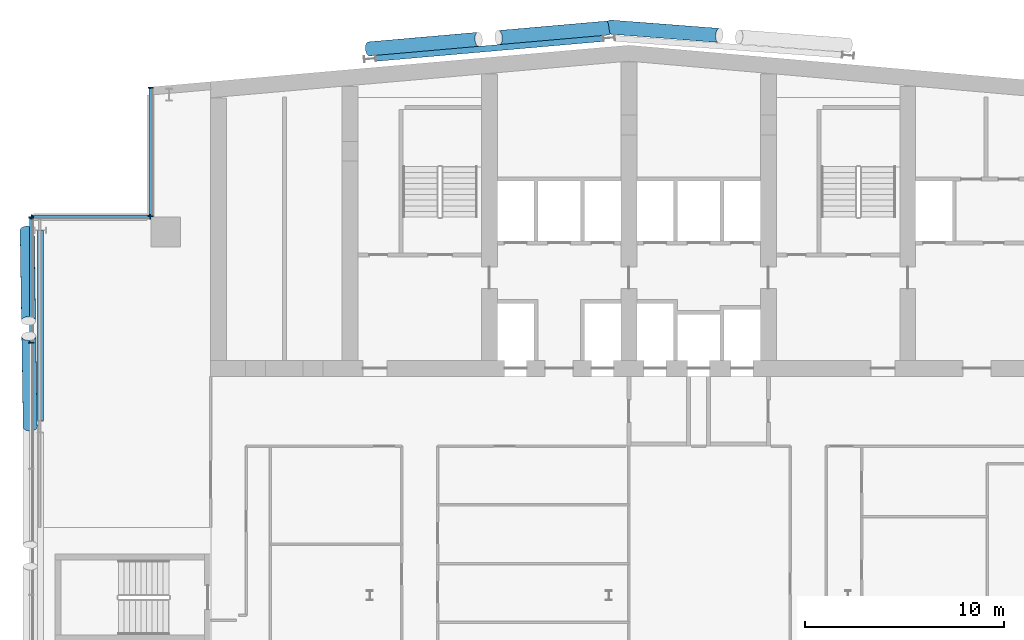
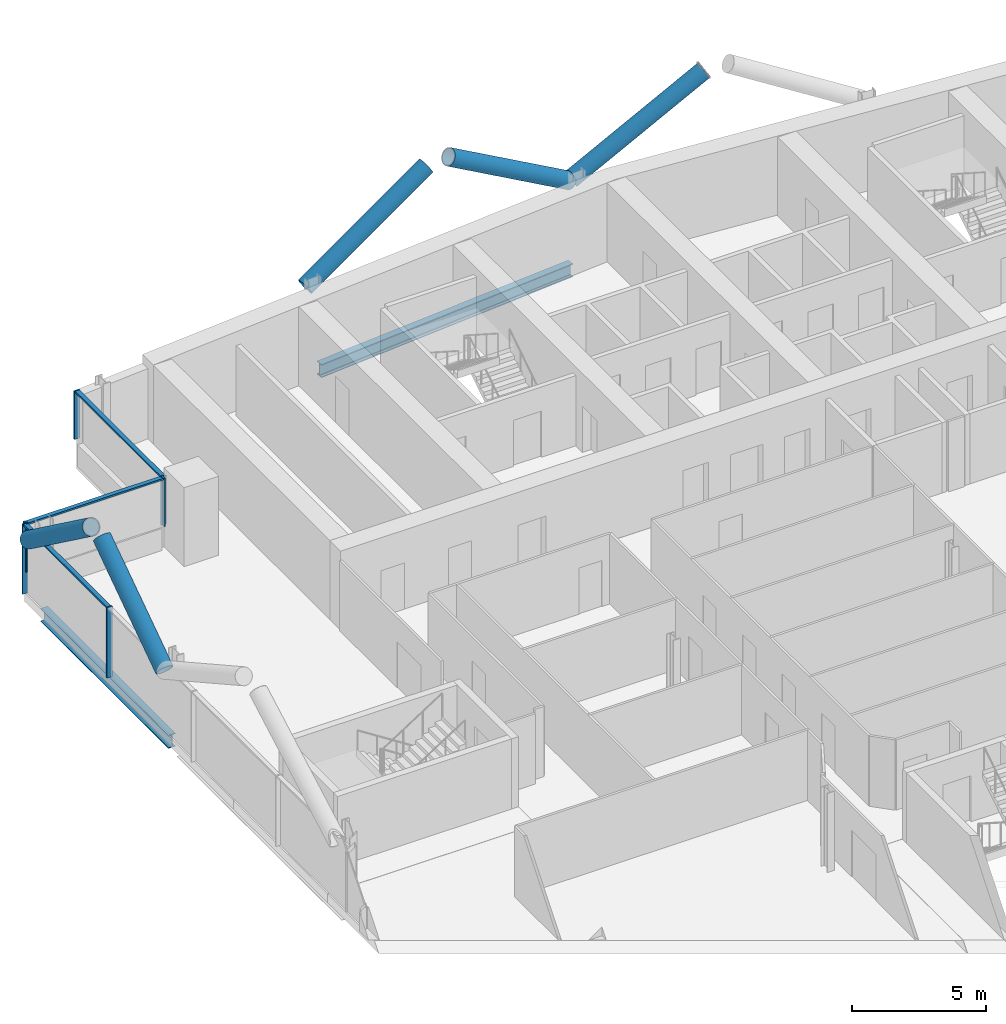
# One storey, part 9 of 26: 14 members, 2 beams, 3 elements without a shape of their own.
"""IFC4 building model written with IfcOpenShell, lengths in metres."""

import ifcopenshell
import ifcopenshell.guid

model = None  # the IFC model being written
_history = None  # IfcOwnerHistory: only IFC2X3 demands one
_inside = {}  # id of a spatial element -> (the spatial element, [elements in it])
_under = {}  # id of a project, library or spatial element -> (it, [spatial elements below it])
_declared = {}  # id of a project -> (the project, [libraries it declares])
_typed = {}  # id of a type object -> (the type object, [elements of that type])
_made_of = {}  # id of a material, layer set ... -> (it, [elements and type objects made of it])


def new_model(schema):
    """Start an empty IFC model of exactly this schema.

    Asked for "IFC4X3", IfcOpenShell would pick the latest addendum, in which some entities
    have other attributes; the version numbers below select the first issue.
    IFC2X3 requires an IfcOwnerHistory on every rooted entity: one is made here for all.
    """
    global model, _history
    if schema == "IFC4X3":
        model = ifcopenshell.file(schema_version=(4, 3, 0, 0))
    else:
        model = ifcopenshell.file(schema=schema)
    _inside.clear()
    _under.clear()
    _declared.clear()
    _typed.clear()
    _made_of.clear()
    _history = None
    if model.schema == "IFC2X3":
        org = make("IfcOrganization", Name="unknown")
        user = make(
            "IfcPersonAndOrganization",
            ThePerson=make("IfcPerson", FamilyName="unknown"),
            TheOrganization=org,
        )
        app = make(
            "IfcApplication",
            ApplicationDeveloper=org,
            Version="unknown",
            ApplicationFullName="unknown",
            ApplicationIdentifier="unknown",
        )
        _history = make(
            "IfcOwnerHistory",
            OwningUser=user,
            OwningApplication=app,
            ChangeAction="ADDED",
            CreationDate=0,
        )
    return model


def make(cls, **values):
    """One entity of the class cls with the attributes given. An attribute that is None is left unset."""
    return model.create_entity(
        cls, **{name: value for name, value in values.items() if value is not None}
    )


def rooted(cls, **values):
    """An entity with a GlobalId (a new one), such as an element, a storey or a relation."""
    return make(cls, GlobalId=ifcopenshell.guid.new(), OwnerHistory=_history, **values)


def si_unit(unit_type, name, prefix=None):
    """IfcSIUnit, for example si_unit("LENGTHUNIT", "METRE", prefix="MILLI")."""
    return make("IfcSIUnit", UnitType=unit_type, Prefix=prefix, Name=name)


def assignment(units):
    """IfcUnitAssignment: the units of a project."""
    return None if units is None else make("IfcUnitAssignment", Units=units)


def point(xyz):
    """IfcCartesianPoint."""
    return None if xyz is None else make("IfcCartesianPoint", Coordinates=xyz)


def direction(xyz):
    """IfcDirection."""
    return None if xyz is None else make("IfcDirection", DirectionRatios=xyz)


def frame(location, z_axis=None, x_axis=None):
    """IfcAxis2Placement3D, a coordinate frame: its origin and axes. An axis left out is left unset."""
    return make(
        "IfcAxis2Placement3D",
        Location=point(location),
        Axis=direction(z_axis),
        RefDirection=direction(x_axis),
    )


def frame_2d(location, x_axis=None):
    """IfcAxis2Placement2D, a coordinate frame in the plane: its origin and x axis."""
    return make(
        "IfcAxis2Placement2D", Location=point(location), RefDirection=direction(x_axis)
    )


def origin():
    """The frame at (0, 0, 0) with its axes left unset."""
    return frame((0.0, 0.0, 0.0))


def origin_2d():
    """The frame at (0, 0) in the plane with its x axis left unset."""
    return frame_2d((0.0, 0.0))


def place(relative_to, where):
    """IfcLocalPlacement: puts the frame where relative to a parent placement (None: the world)."""
    return make(
        "IfcLocalPlacement", PlacementRelTo=relative_to, RelativePlacement=where
    )


def context(
    kind, dimensions, precision=None, world=None, true_north=None, identifier=None
):
    """IfcGeometricRepresentationContext, for example the 3D "Model" context."""
    return make(
        "IfcGeometricRepresentationContext",
        ContextIdentifier=identifier,
        ContextType=kind,
        CoordinateSpaceDimension=dimensions,
        Precision=precision,
        WorldCoordinateSystem=world,
        TrueNorth=true_north,
    )


def subcontext(parent, identifier, kind, view, scale=None):
    """IfcGeometricRepresentationSubContext, for example "Body" below "Model"."""
    return make(
        "IfcGeometricRepresentationSubContext",
        ContextIdentifier=identifier,
        ContextType=kind,
        ParentContext=parent,
        TargetScale=scale,
        TargetView=view,
    )


def project(units=None, contexts=None):
    """IfcProject with its units and contexts."""
    return rooted(
        "IfcProject",
        Name="project",
        RepresentationContexts=contexts,
        UnitsInContext=assignment(units),
    )


def spatial(cls, under=None, at=None, **own):
    """A site, building, storey or space (cls), placed at a placement, below another one or the project."""
    s = rooted(cls, ObjectPlacement=at, **own)
    if under is not None:
        _under.setdefault(under.id(), (under, []))[1].append(s)
    return s


def profile(cls, at=None, kind="AREA", **sizes):
    """A parametric profile (cls). Its sizes go by their IFC names, for example OverallWidth=200.0."""
    return make(cls, ProfileType=kind, Position=at, **sizes)


def rectangle(**sizes):
    """IfcRectangleProfileDef."""
    return profile("IfcRectangleProfileDef", **sizes)


def hollow_circle(**sizes):
    """IfcCircleHollowProfileDef."""
    return profile("IfcCircleHollowProfileDef", **sizes)


def i_section(**sizes):
    """IfcIShapeProfileDef."""
    return profile("IfcIShapeProfileDef", **sizes)


def extrude(swept, where, along, depth):
    """IfcExtrudedAreaSolid: the profile swept, set in the frame where, extruded along a direction by depth."""
    return make(
        "IfcExtrudedAreaSolid",
        SweptArea=swept,
        Position=where,
        ExtrudedDirection=direction(along),
        Depth=depth,
    )


def shape(context_of_items, identifier, shape_type, items):
    """IfcShapeRepresentation: the items that make up one representation, for example the "Body"."""
    return make(
        "IfcShapeRepresentation",
        ContextOfItems=context_of_items,
        RepresentationIdentifier=identifier,
        RepresentationType=shape_type,
        Items=items,
    )


def material(Name=None, Category=None):
    """IfcMaterial."""
    return make("IfcMaterial", Name=Name, Category=Category)


def material_profile(
    of_material, cross_section, Name=None, Category=None, Priority=None
):
    """IfcMaterialProfile: a cross section and its material."""
    return make(
        "IfcMaterialProfile",
        Name=Name,
        Material=of_material,
        Profile=cross_section,
        Priority=Priority,
        Category=Category,
    )


def profile_set(profiles, Name=None, composite=None):
    """IfcMaterialProfileSet."""
    return make(
        "IfcMaterialProfileSet",
        Name=Name,
        MaterialProfiles=profiles,
        CompositeProfile=composite,
    )


def made_of(thing, what):
    """Note that an element or type object is made of a material, layer set ...; save() writes the relation."""
    if what is not None:
        _made_of.setdefault(what.id(), (what, []))[1].append(thing)
    return thing


def type_object(cls, material=None, **own):
    """A type object (cls), such as IfcWallType, which elements share."""
    return made_of(rooted(cls, **own), material)


def element(
    cls,
    number,
    at=None,
    inside=None,
    cuts=None,
    type_object=None,
    material=None,
    context=None,
    identifier="Body",
    shape_type=None,
    held_by="IfcProductDefinitionShape",
    body=None,
    shapes=None,
    **own,
):
    """One element of the class cls, such as IfcWall. Its Tag is "e" and its number.

    at: its placement. inside: the storey or other place that contains it. cuts: it is an
    opening in that element (IfcRelVoidsElement). A single representation is given by context,
    identifier, shape_type and body (its items); several are given by shapes. held_by: the class
    of the entity that holds the representations. save() writes the other relations.
    """
    e = rooted(cls, Tag="e%d" % number, ObjectPlacement=at, **own)
    if body is not None:
        shapes = [shape(context, identifier, shape_type, body)]
    if shapes is not None:
        e.Representation = make(held_by, Representations=shapes)
    if inside is not None:
        _inside.setdefault(inside.id(), (inside, []))[1].append(e)
    if cuts is not None:
        rooted(
            "IfcRelVoidsElement", RelatingBuildingElement=cuts, RelatedOpeningElement=e
        )
    if type_object is not None:
        _typed.setdefault(type_object.id(), (type_object, []))[1].append(e)
    return made_of(e, material)


def aggregate(whole, parts):
    """IfcRelAggregates: a whole, such as a stair, and the parts it consists of."""
    return rooted("IfcRelAggregates", RelatingObject=whole, RelatedObjects=parts)


def save(model, path):
    """Write the relations noted so far, then the file.

    IfcRelAggregates (storeys below a building ...), IfcRelContainedInSpatialStructure (elements
    in a storey), IfcRelDefinesByType, IfcRelAssociatesMaterial and IfcRelDeclares: one each for
    every whole, place, type object, material and project.
    """
    for whole, parts in _under.values():
        aggregate(whole, parts)
    for where, things in _inside.values():
        rooted(
            "IfcRelContainedInSpatialStructure",
            RelatedElements=things,
            RelatingStructure=where,
        )
    for kind, things in _typed.values():
        rooted("IfcRelDefinesByType", RelatedObjects=things, RelatingType=kind)
    for what, things in _made_of.values():
        rooted("IfcRelAssociatesMaterial", RelatedObjects=things, RelatingMaterial=what)
    for by, libraries in _declared.values():
        rooted("IfcRelDeclares", RelatingContext=by, RelatedDefinitions=libraries)
    model.write(path)


model = new_model("IFC4")

# Units and contexts
model_context = context("Model", 3, precision=1e-05, world=origin(), true_north=direction((0.0, 1.0)))
body_context = subcontext(model_context, "Body", "Model", "MODEL_VIEW")
ifc_project = project(units=[si_unit("LENGTHUNIT", "METRE"), si_unit("AREAUNIT", "SQUARE_METRE"), si_unit("VOLUMEUNIT", "CUBIC_METRE"), si_unit("PLANEANGLEUNIT", "RADIAN"), si_unit("MASSUNIT", "GRAM", prefix="KILO")], contexts=[model_context])

# Site, building, storey
site_placement = place(None, origin())
site = spatial("IfcSite", under=ifc_project, at=site_placement, CompositionType="ELEMENT")
building_placement = place(site_placement, origin())
building = spatial("IfcBuilding", under=site, at=building_placement, Name="Wharfspan Tower", CompositionType="ELEMENT")
storey_placement = place(building_placement, frame((0.0, 0.0, 169.899902)))
storey = spatial("IfcBuildingStorey", under=building, at=storey_placement, Name="L41", CompositionType="ELEMENT", Elevation=169.899902)

# Beams
ifc_material_1 = material(Name="Steel S355J2", Category="steel")
ifc_material_profile_1 = material_profile(ifc_material_1, i_section(OverallWidth=0.300049, OverallDepth=0.600098, WebThickness=0.015381, FlangeThickness=0.030029, FilletRadius=0.0271, at=origin_2d()))
ifc_profile_set_1 = profile_set([ifc_material_profile_1], Name="Steel S355J2")
beam_type = type_object("IfcBeamType", Name="Edge beam HEB 600", PredefinedType="SPANDREL", material=ifc_profile_set_1)
beam_1_placement = place(storey_placement, frame((35.705078, 50.961426, -0.699951), z_axis=(-0.996194, -0.087158, 0.0), x_axis=(0.087158, -0.996194, 0.0)))
element("IfcBeam", 1, at=beam_1_placement, inside=storey, type_object=beam_type, Name="Edge beam N1 L41 R.2 to R.1", PredefinedType="SPANDREL", context=body_context, shape_type="SweptSolid", body=[
    extrude(i_section(OverallWidth=0.300049, OverallDepth=0.600098, WebThickness=0.015381, FlangeThickness=0.030029, FilletRadius=0.0271, at=origin_2d()), origin(), (0.0, 0.0, 1.0), 11.453857),
])
beam_2_placement = place(storey_placement, frame((7.450439, 41.32666, -0.699951), z_axis=(-5.1e-05, -1.0, 0.0), x_axis=(1.0, -5.1e-05, 0.0)))
element("IfcBeam", 2, at=beam_2_placement, inside=storey, type_object=beam_type, Name="Edge beam W L41 PNRW-H.1 to PW.1", PredefinedType="SPANDREL", context=body_context, shape_type="SweptSolid", body=[
    extrude(i_section(OverallWidth=0.300049, OverallDepth=0.600098, WebThickness=0.015381, FlangeThickness=0.030029, FilletRadius=0.0271, at=origin_2d()), origin(), (0.0, 0.0, 1.0), 9.553955),
])

# Curtain wall, members
ifc_material_2 = material(Name="Aluminium 6063-T6", Category="aluminium")
curtain_wall_type = type_object("IfcCurtainWallType", Name="CURTAIN WALL PROW AND END", PredefinedType="NOTDEFINED", material=ifc_material_2)
curtain_wall_1_placement = place(storey_placement, origin())
curtain_wall_1 = element("IfcCurtainWall", 3, at=curtain_wall_1_placement, inside=storey, type_object=curtain_wall_type, Name="Curtain wall NRW-V", PredefinedType="NOTDEFINED")
ifc_material_profile_2 = material_profile(ifc_material_2, rectangle(XDim=0.23999, YDim=0.060059, at=origin_2d()))
ifc_profile_set_2 = profile_set([ifc_material_profile_2], Name="Aluminium 6063-T6")
member_type_1 = type_object("IfcMemberType", Name="MULLION PROW AND END 60x240", PredefinedType="MULLION", material=ifc_profile_set_2)
member_1_placement = place(storey_placement, frame((13.0, 48.494873, 1.0), z_axis=(0.0, 0.0, 1.0), x_axis=(1.0, 0.0, 0.0)))
member_1 = element("IfcMember", 4, at=member_1_placement, type_object=member_type_1, Name="Curtain wall NRW-V mullion 1", PredefinedType="MULLION", context=body_context, shape_type="SweptSolid", body=[
    extrude(rectangle(XDim=0.23999, YDim=0.060059, at=origin_2d()), origin(), (0.0, 0.0, 1.0), 2.200195),
])
member_2_placement = place(storey_placement, frame((13.0, 42.030029, 1.0), z_axis=(0.0, 0.0, 1.0), x_axis=(1.0, 0.0, 0.0)))
member_2 = element("IfcMember", 5, at=member_2_placement, type_object=member_type_1, Name="Curtain wall NRW-V mullion 2", PredefinedType="MULLION", context=body_context, shape_type="SweptSolid", body=[
    extrude(rectangle(XDim=0.23999, YDim=0.060059, at=origin_2d()), origin(), (0.0, 0.0, 1.0), 2.200195),
])

curtain_wall_2_placement = place(storey_placement, origin())
curtain_wall_2 = element("IfcCurtainWall", 6, at=curtain_wall_2_placement, inside=storey, type_object=curtain_wall_type, Name="Curtain wall NRW-H", PredefinedType="NOTDEFINED")
member_3_placement = place(storey_placement, frame((12.969971, 42.0, 1.0), z_axis=(0.0, 0.0, 1.0), x_axis=(0.0, -1.0, 0.0)))
member_3 = element("IfcMember", 7, at=member_3_placement, type_object=member_type_1, Name="Curtain wall NRW-H mullion 1", PredefinedType="MULLION", context=body_context, shape_type="SweptSolid", body=[
    extrude(rectangle(XDim=0.23999, YDim=0.060059, at=origin_2d()), origin(), (0.0, 0.0, 1.0), 2.200195),
])
member_4_placement = place(storey_placement, frame((7.030029, 42.0, 1.0), z_axis=(0.0, 0.0, 1.0), x_axis=(0.0, -1.0, 0.0)))
member_4 = element("IfcMember", 8, at=member_4_placement, type_object=member_type_1, Name="Curtain wall NRW-H mullion 2", PredefinedType="MULLION", context=body_context, shape_type="SweptSolid", body=[
    extrude(rectangle(XDim=0.23999, YDim=0.060059, at=origin_2d()), origin(), (0.0, 0.0, 1.0), 2.200195),
])

curtain_wall_3_placement = place(storey_placement, origin())
curtain_wall_3 = element("IfcCurtainWall", 9, at=curtain_wall_3_placement, inside=storey, type_object=curtain_wall_type, Name="Curtain wall W", PredefinedType="NOTDEFINED")
member_5_placement = place(storey_placement, frame((7.0, 41.969971, 0.0), z_axis=(0.0, 0.0, 1.0), x_axis=(1.0, 0.0, 0.0)))
member_5 = element("IfcMember", 10, at=member_5_placement, type_object=member_type_1, Name="Curtain wall W mullion 1", PredefinedType="MULLION", context=body_context, shape_type="SweptSolid", body=[
    extrude(rectangle(XDim=0.23999, YDim=0.060059, at=origin_2d()), origin(), (0.0, 0.0, 1.0), 3.200195),
])
member_6_placement = place(storey_placement, frame((7.0, 35.679932, 0.0), z_axis=(0.0, 0.0, 1.0), x_axis=(1.0, 0.0, 0.0)))
member_6 = element("IfcMember", 11, at=member_6_placement, type_object=member_type_1, Name="Curtain wall W mullion 2", PredefinedType="MULLION", context=body_context, shape_type="SweptSolid", body=[
    extrude(rectangle(XDim=0.23999, YDim=0.060059, at=origin_2d()), origin(), (0.0, 0.0, 1.0), 3.200195),
])

# Members
ifc_material_3 = material(Name="Steel S460NH", Category="steel")
ifc_material_profile_3 = material_profile(ifc_material_3, hollow_circle(Radius=0.355469, WallThickness=0.035889, at=origin_2d()))
ifc_profile_set_3 = profile_set([ifc_material_profile_3], Name="Steel S460NH")
member_type_2 = type_object("IfcMemberType", Name="Mega brace CHS 711x36", PredefinedType="BRACE", material=ifc_profile_set_3)
member_7_placement = place(storey_placement, frame((6.788086, 41.333008, 2.900146), z_axis=(0.012851, -0.807716, 0.589431), x_axis=(0.999873, 0.015909, 1e-06)))
element("IfcMember", 12, at=member_7_placement, inside=storey, type_object=member_type_2, Name="Mega brace W4 L42 part 1", PredefinedType="BRACE", context=body_context, shape_type="SweptSolid", body=[
    extrude(hollow_circle(Radius=0.355469, WallThickness=0.035889, at=origin_2d()), origin(), (0.0, 0.0, 1.0), 5.623535),
])
member_8_placement = place(storey_placement, frame((6.945068, 31.466553, 2.900146), z_axis=(-0.01285, 0.807732, 0.58941), x_axis=(-0.999874, -0.015906, -1e-06)))
element("IfcMember", 13, at=member_8_placement, inside=storey, type_object=member_type_2, Name="Mega brace W4 L42 part 3", PredefinedType="BRACE", context=body_context, shape_type="SweptSolid", body=[
    extrude(hollow_circle(Radius=0.355469, WallThickness=0.035889, at=origin_2d()), origin(), (0.0, 0.0, 1.0), 5.623779),
])
member_9_placement = place(storey_placement, frame((23.956299, 50.437988, 2.900146), z_axis=(0.855083, 0.074809, 0.513065), x_axis=(-0.087154, 0.996196, -1e-06)))
element("IfcMember", 14, at=member_9_placement, inside=storey, type_object=member_type_2, Name="Mega brace N7 L42 part 1", PredefinedType="BRACE", context=body_context, shape_type="SweptSolid", body=[
    extrude(hollow_circle(Radius=0.355469, WallThickness=0.035889, at=origin_2d()), origin(), (0.0, 0.0, 1.0), 6.425781),
])
member_10_placement = place(storey_placement, frame((35.956299, 51.487793, 2.900146), z_axis=(-0.855094, -0.074807, 0.513049), x_axis=(0.087152, -0.996192, 2e-06)))
element("IfcMember", 15, at=member_10_placement, inside=storey, type_object=member_type_2, Name="Mega brace N7 L42 part 3", PredefinedType="BRACE", context=body_context, shape_type="SweptSolid", body=[
    extrude(hollow_circle(Radius=0.355469, WallThickness=0.035889, at=origin_2d()), origin(), (0.0, 0.0, 1.0), 6.426025),
])
member_11_placement = place(storey_placement, frame((36.039795, 51.53418, 2.900146), z_axis=(0.855612, -0.065363, 0.513474), x_axis=(0.07617, 0.997093, 2e-06)))
element("IfcMember", 16, at=member_11_placement, inside=storey, type_object=member_type_2, Name="Mega brace N8 L42 part 1", PredefinedType="BRACE", context=body_context, shape_type="SweptSolid", body=[
    extrude(hollow_circle(Radius=0.355469, WallThickness=0.035889, at=origin_2d()), origin(), (0.0, 0.0, 1.0), 6.420654),
])

# Member
ifc_material_profile_4 = material_profile(ifc_material_2, rectangle(XDim=0.179932, YDim=0.080078, at=origin_2d()))
ifc_profile_set_4 = profile_set([ifc_material_profile_4], Name="Aluminium 6063-T6")
member_type_3 = type_object("IfcMemberType", Name="TRANSOM PROW AND END 80x180", PredefinedType="USERDEFINED", material=ifc_profile_set_4)
member_12_placement = place(storey_placement, frame((13.0, 48.464844, 3.160156), z_axis=(0.0, -1.0, 0.0), x_axis=(1.0, 0.0, 0.0)))
member_12 = element("IfcMember", 17, at=member_12_placement, type_object=member_type_3, Name="Curtain wall NRW-V transom 1", ObjectType="TRANSOM", PredefinedType="USERDEFINED", context=body_context, shape_type="SweptSolid", body=[
    extrude(rectangle(XDim=0.179932, YDim=0.080078, at=origin_2d()), origin(), (0.0, 0.0, 1.0), 6.404785),
])

aggregate(curtain_wall_1, [member_1, member_2, member_12])

member_13_placement = place(storey_placement, frame((12.939941, 42.0, 3.160156), z_axis=(-1.0, 0.0, 0.0), x_axis=(0.0, -1.0, 0.0)))
member_13 = element("IfcMember", 18, at=member_13_placement, type_object=member_type_3, Name="Curtain wall NRW-H transom 1", ObjectType="TRANSOM", PredefinedType="USERDEFINED", context=body_context, shape_type="SweptSolid", body=[
    extrude(rectangle(XDim=0.179932, YDim=0.080078, at=origin_2d()), origin(), (0.0, 0.0, 1.0), 5.879883),
])

aggregate(curtain_wall_2, [member_3, member_4, member_13])

member_14_placement = place(storey_placement, frame((7.0, 41.939941, 3.160156), z_axis=(0.0, -1.0, 0.0), x_axis=(1.0, 0.0, 0.0)))
member_14 = element("IfcMember", 19, at=member_14_placement, type_object=member_type_3, Name="Curtain wall W transom 1", ObjectType="TRANSOM", PredefinedType="USERDEFINED", context=body_context, shape_type="SweptSolid", body=[
    extrude(rectangle(XDim=0.179932, YDim=0.080078, at=origin_2d()), origin(), (0.0, 0.0, 1.0), 6.22998),
])

aggregate(curtain_wall_3, [member_5, member_6, member_14])

save(model, "model.ifc")
